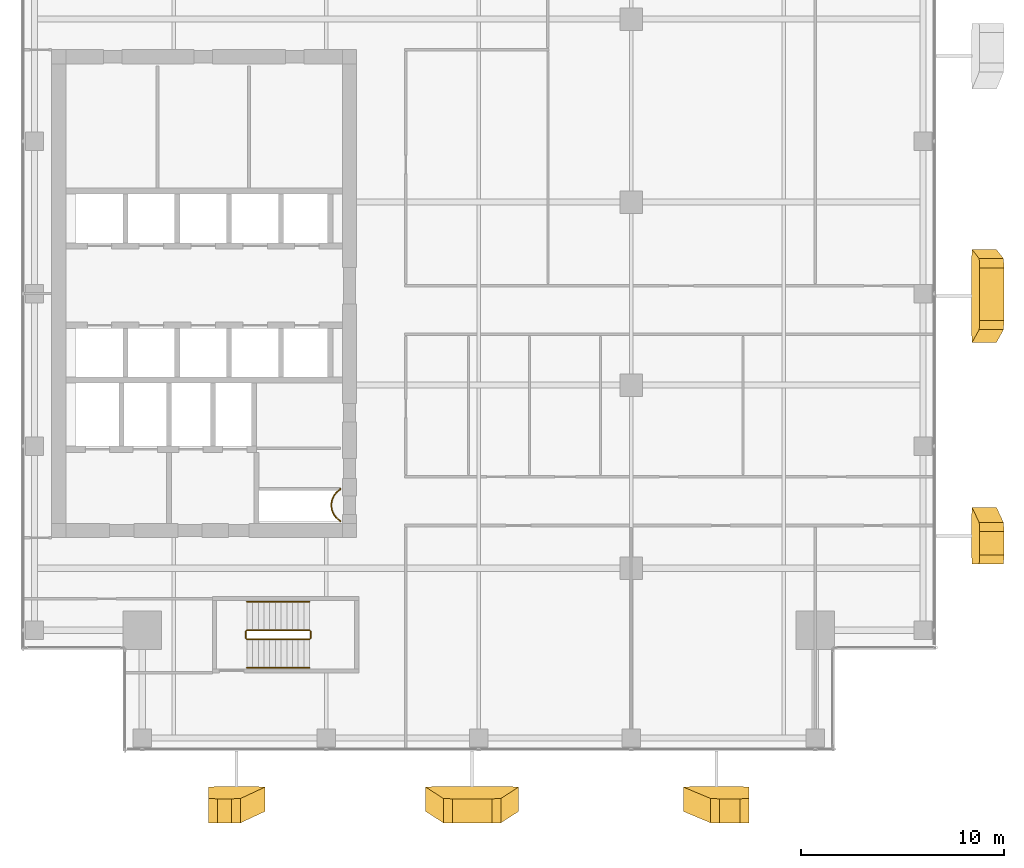
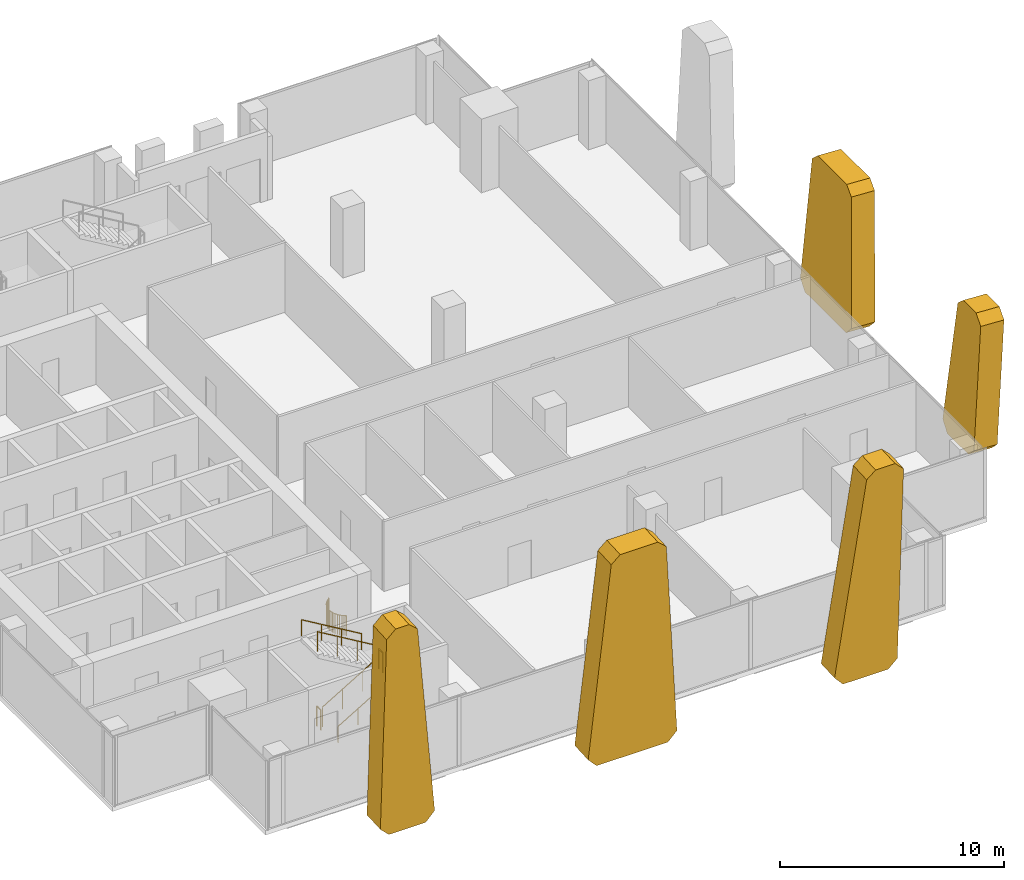
# One storey, part 34 of 36: 7 railings, 5 coverings.
"""IFC4 building model written with IfcOpenShell, lengths in metres."""

from ifc_helpers import new_model, si_unit, direction, frame, origin, origin_2d, place, context, subcontext, project, spatial, polyline, circle, outline, extrude, source, transform, mapped, material, layer, layer_set, type_object, element, save


model = new_model("IFC4")

# Units and contexts
model_context = context("Model", 3, precision=1e-05, world=origin(), true_north=direction((0.0, 1.0)))
body_context = subcontext(model_context, "Body", "Model", "MODEL_VIEW")
ifc_project = project(units=[si_unit("LENGTHUNIT", "METRE"), si_unit("AREAUNIT", "SQUARE_METRE"), si_unit("VOLUMEUNIT", "CUBIC_METRE"), si_unit("PLANEANGLEUNIT", "RADIAN"), si_unit("MASSUNIT", "GRAM", prefix="KILO")], contexts=[model_context])

# Site, building, storey
site_placement = place(None, origin())
site = spatial("IfcSite", under=ifc_project, at=site_placement, CompositionType="ELEMENT")
building_placement = place(site_placement, origin())
building = spatial("IfcBuilding", under=site, at=building_placement, Name="Khomas Fold Tower", CompositionType="ELEMENT")
storey_placement = place(building_placement, frame((0.0, 0.0, 238.199951171875)))
storey = spatial("IfcBuildingStorey", under=building, at=storey_placement, Name="L53", CompositionType="ELEMENT", Elevation=238.199951171875)

# Coverings
ifc_material_1 = material(Name="Natural stone cladding", Category="masonry")
ifc_layer = layer(ifc_material_1, 1.199951171875)
ifc_layer_set = layer_set([ifc_layer], Name="Natural stone cladding")
covering_type = type_object("IfcCoveringType", Name="SK-Karibib marble stone panel", PredefinedType="CLADDING", material=ifc_layer_set)
covering_1_placement = place(storey_placement, frame((15.291748046875, 2.177001953125, 11.150390625), z_axis=(-3.220349e-05, 0.998629657465, 0.052333604827), x_axis=(0.11165263305, 0.052009969022, -0.992385334764)))
element("IfcCovering", 1, at=covering_1_placement, inside=storey, type_object=covering_type, Name="OUTER SKIN leaf L53 SS03-1", PredefinedType="CLADDING", context=body_context, shape_type="SweptSolid", body=[
    extrude(outline(polyline([(0.0, 0.0), (10.731875825338758, 2.220446049250313e-16), (11.17973104845135, 0.5003986872210797), (10.968392458598, 2.3813856956740844), (10.470397599790012, 2.778215693601301), (-0.12767863253602402, 1.5874671784628474), (-0.5251843274298073, 1.090023074295538), (-0.4476053738992216, 0.3995433856514968), (0.0, 0.0)])), origin(), (0.0, 0.0, -1.0), 1.199951171875),
])
covering_2_placement = place(storey_placement, frame((28.09326171875, 2.177734375, 11.136474609375), z_axis=(0.0, 0.998629683501, 0.052333117908), x_axis=(0.080866273172, 0.052161724853, -0.995359131331)))
element("IfcCovering", 2, at=covering_2_placement, inside=storey, type_object=covering_type, Name="OUTER SKIN leaf L53 SS06-2", PredefinedType="CLADDING", context=body_context, shape_type="SweptSolid", body=[
    extrude(outline(polyline([(0.0, 0.0), (10.699570303655547, 0.0), (11.148941452168673, 0.486418337694824), (10.852168547304485, 4.144321071713593), (10.330262562943101, 4.551937768929956), (-0.22937118205908263, 2.827136373325576), (-0.6058793013081567, 2.3466295577307776), (-0.44904295509733283, 0.4135282193163885), (0.0, 0.0)])), origin(), (0.0, 0.0, -1.0), 1.199951171875),
])
covering_3_placement = place(storey_placement, frame((40.300048828125, 2.1796875, 11.10009765625), z_axis=(-2.405133e-06, 0.998629593054, 0.052334843757), x_axis=(-7e-12, 0.052334843757, -0.998629593057)))
element("IfcCovering", 3, at=covering_3_placement, inside=storey, type_object=covering_type, Name="OUTER SKIN leaf L53 SS09-3", PredefinedType="CLADDING", context=body_context, shape_type="SweptSolid", body=[
    extrude(outline(polyline([(0.0, 0.0), (10.664759812194422, 0.0), (11.115333742824793, 0.44995117162726406), (11.115333742842237, 2.7856445309955085), (10.608774901345733, 3.23217773436541), (-0.05574110480564044, 1.900878906274989), (-0.4505611535546865, 1.4543457027808422), (-0.4505611535621875, 0.4499511715337471), (0.0, 0.0)])), origin(), (0.0, 0.0, -1.0), 1.199951171875),
])
covering_4_placement = place(storey_placement, frame((51.61328125, 15.74169921875, 7.150390625), z_axis=(-0.998629298134, -2.8925456e-05, 0.052340463045), x_axis=(-0.052016344069, 0.111665411865, -0.992383562814)))
element("IfcCovering", 4, at=covering_4_placement, inside=storey, type_object=covering_type, Name="OUTER SKIN leaf L53 ES03-1", PredefinedType="CLADDING", context=body_context, shape_type="SweptSolid", body=[
    extrude(outline(polyline([(0.0, 0.0), (6.701188890180125, 1.1102230246251565e-16), (7.149037677896048, 0.500404446017872), (6.937674900018289, 2.381388736854962), (6.4396749376874745, 2.7782123304733295), (-0.1779430287354522, 2.0346026512622166), (-0.5754550252133812, 1.5371520160626408), (-0.4476232097266262, 0.399536210602159), (0.0, 0.0)])), origin(), (0.0, 0.0, -1.0), 1.199951171875),
])
covering_5_placement = place(storey_placement, frame((51.6123046875, 28.719970703125, 7.130615234375), z_axis=(-0.998629129649, -7.55013e-07, 0.052343685533), x_axis=(-0.052222581972, 0.067998880929, -0.996317697386)))
element("IfcCovering", 5, at=covering_5_placement, inside=storey, type_object=covering_type, Name="OUTER SKIN leaf L53 ES06-2", PredefinedType="CLADDING", context=body_context, shape_type="SweptSolid", body=[
    extrude(outline(polyline([(0.0, 0.0), (6.674483693384631, -1.1102230246251565e-16), (7.124209897014313, 0.4806680434856984), (6.874675917705665, 4.141851932247686), (6.352469370585208, 4.555542187529186), (-0.2487509070868815, 3.4772175778008307), (-0.6256230250905195, 3.002493851965644), (-0.44956635217666036, 0.41937528764385057), (0.0, 0.0)])), origin(), (0.0, 0.0, -1.0), 1.199951171875),
])

# Railings
ifc_material_2 = material(Name="Steel balustrade", Category="steel")
railing_type_1 = type_object("IfcRailingType", Name="Stair guard", PredefinedType="GUARDRAIL", material=ifc_material_2)
shared_shape_1 = source(origin(), body_context, "Body", "SweptSolid", [
    extrude(circle(Radius=0.02392578125, at=origin_2d()), frame((0.0, 0.0, 1.076171875), z_axis=(0.0, 1.0, 0.0), x_axis=(-1.0, 0.0, 0.0)), (0.0, 0.0, 1.0), 0.349853515625),
    extrude(circle(Radius=0.02099609375, at=origin_2d()), origin(), (0.0, 0.0, 1.0), 1.052001953125),
    extrude(circle(Radius=0.02099609375, at=origin_2d()), frame((0.0, 0.349853515625, 0.0)), (0.0, 0.0, 1.0), 1.052001953125),
])
for number, where, name in (
    (6, (18.72998046875, 10.050048828125, 2.0), "L53 ST2 stair guard 2"),
    (7, (15.550048828125, 10.050048828125, 0.0), "L53 ST2 stair guard 4"),
):
    element("IfcRailing", number, at=place(storey_placement, frame(where)), inside=storey, type_object=railing_type_1, Name=name, PredefinedType="GUARDRAIL", context=body_context, shape_type="MappedRepresentation", body=[
        mapped(shared_shape_1, transform((0.0, 0.0, 0.0))),
    ])
shared_shape_2 = source(origin(), body_context, "Body", "SweptSolid", [
    extrude(circle(Radius=0.02392578125, at=origin_2d()), frame((0.0, 0.0, 1.076171875), z_axis=(0.859290745958, 0.0, 0.51148745235), x_axis=(0.0, 1.0, 0.0)), (0.0, 0.0, 1.0), 3.584228515625),
    extrude(circle(Radius=0.02099609375, at=origin_2d()), origin(), (0.0, 0.0, 1.0), 1.052001953125),
    extrude(circle(Radius=0.02099609375, at=origin_2d()), frame((1.026611328125, 0.0, 0.611083984375)), (0.0, 0.0, 1.0), 1.052001953125),
    extrude(circle(Radius=0.02099609375, at=origin_2d()), frame((2.05322265625, 0.0, 1.22216796875)), (0.0, 0.0, 1.0), 1.052001953125),
    extrude(circle(Radius=0.02099609375, at=origin_2d()), frame((3.079833984375, 0.0, 1.833251953125)), (0.0, 0.0, 1.0), 1.052001953125),
])
railing_1_placement = place(storey_placement, frame((15.60009765625, 10.0, 0.166748046875)))
element("IfcRailing", 8, at=railing_1_placement, inside=storey, type_object=railing_type_1, Name="L53 ST2 stair guard 1", PredefinedType="GUARDRAIL", context=body_context, shape_type="MappedRepresentation", body=[
    mapped(shared_shape_2, transform((0.0, 0.0, 0.0))),
])
shared_shape_3 = source(origin(), body_context, "Body", "SweptSolid", [
    extrude(circle(Radius=0.02392578125, at=origin_2d()), frame((0.0, 0.0, 1.076171875), z_axis=(-0.859290745958, 0.0, 0.51148745235), x_axis=(0.0, -1.0, 0.0)), (0.0, 0.0, 1.0), 3.584228515625),
    extrude(circle(Radius=0.02099609375, at=origin_2d()), origin(), (0.0, 0.0, 1.0), 1.052001953125),
    extrude(circle(Radius=0.02099609375, at=origin_2d()), frame((-1.026611328125, 0.0, 0.611083984375)), (0.0, 0.0, 1.0), 1.052001953125),
    extrude(circle(Radius=0.02099609375, at=origin_2d()), frame((-2.05322265625, 0.0, 1.22216796875)), (0.0, 0.0, 1.0), 1.052001953125),
    extrude(circle(Radius=0.02099609375, at=origin_2d()), frame((-3.079833984375, 0.0, 1.833251953125)), (0.0, 0.0, 1.0), 1.052001953125),
])
railing_2_placement = place(storey_placement, frame((18.679931640625, 10.449951171875, 2.166748046875)))
element("IfcRailing", 9, at=railing_2_placement, inside=storey, type_object=railing_type_1, Name="L53 ST2 stair guard 3", PredefinedType="GUARDRAIL", context=body_context, shape_type="MappedRepresentation", body=[
    mapped(shared_shape_3, transform((0.0, 0.0, 0.0))),
])
ifc_material_3 = material(Name="Steel handrail", Category="steel")
railing_type_2 = type_object("IfcRailingType", Name="Stair handrail", PredefinedType="HANDRAIL", material=ifc_material_3)
shared_shape_4 = source(origin(), body_context, "Body", "SweptSolid", [
    extrude(circle(Radius=0.02392578125, at=origin_2d()), frame((0.0, 0.0, 0.8759765625), z_axis=(0.859290745958, 0.0, 0.51148745235), x_axis=(0.0, 1.0, 0.0)), (0.0, 0.0, 1.0), 3.584228515625),
    extrude(circle(Radius=0.02099609375, at=origin_2d()), origin(), (0.0, 0.0, 1.0), 0.851806640625),
    extrude(circle(Radius=0.02099609375, at=origin_2d()), frame((1.026611328125, 0.0, 0.611083984375)), (0.0, 0.0, 1.0), 0.851806640625),
    extrude(circle(Radius=0.02099609375, at=origin_2d()), frame((2.05322265625, 0.0, 1.22216796875)), (0.0, 0.0, 1.0), 0.851806640625),
    extrude(circle(Radius=0.02099609375, at=origin_2d()), frame((3.079833984375, 0.0, 1.833251953125)), (0.0, 0.0, 1.0), 0.851806640625),
])
railing_3_placement = place(storey_placement, frame((15.60009765625, 8.60009765625, 0.166748046875)))
element("IfcRailing", 10, at=railing_3_placement, inside=storey, type_object=railing_type_2, Name="L53 ST2 stair handrail 1", PredefinedType="HANDRAIL", context=body_context, shape_type="MappedRepresentation", body=[
    mapped(shared_shape_4, transform((0.0, 0.0, 0.0))),
])
shared_shape_5 = source(origin(), body_context, "Body", "SweptSolid", [
    extrude(circle(Radius=0.02392578125, at=origin_2d()), frame((0.0, 0.0, 0.8759765625), z_axis=(-0.859290745958, 0.0, 0.51148745235), x_axis=(0.0, -1.0, 0.0)), (0.0, 0.0, 1.0), 3.584228515625),
    extrude(circle(Radius=0.02099609375, at=origin_2d()), origin(), (0.0, 0.0, 1.0), 0.851806640625),
    extrude(circle(Radius=0.02099609375, at=origin_2d()), frame((-1.026611328125, 0.0, 0.611083984375)), (0.0, 0.0, 1.0), 0.851806640625),
    extrude(circle(Radius=0.02099609375, at=origin_2d()), frame((-2.05322265625, 0.0, 1.22216796875)), (0.0, 0.0, 1.0), 0.851806640625),
    extrude(circle(Radius=0.02099609375, at=origin_2d()), frame((-3.079833984375, 0.0, 1.833251953125)), (0.0, 0.0, 1.0), 0.851806640625),
])
railing_4_placement = place(storey_placement, frame((18.679931640625, 11.85009765625, 2.166748046875)))
element("IfcRailing", 11, at=railing_4_placement, inside=storey, type_object=railing_type_2, Name="L53 ST2 stair handrail 2", PredefinedType="HANDRAIL", context=body_context, shape_type="MappedRepresentation", body=[
    mapped(shared_shape_5, transform((0.0, 0.0, 0.0))),
])
ifc_material_4 = material(Name="Steel balustrade", Category="steel")
railing_type_3 = type_object("IfcRailingType", Name="Shaft guard", PredefinedType="GUARDRAIL", material=ifc_material_4)
shared_shape_6 = source(origin(), body_context, "Body", "SweptSolid", [
    extrude(circle(Radius=0.02490234375, at=origin_2d()), frame((0.0, 0.0, 1.0751953125), z_axis=(1.0, 0.0, 0.0), x_axis=(0.0, 1.0, 0.0)), (0.0, 0.0, 1.0), 0.02197265625),
    extrude(circle(Radius=0.02490234375, at=origin_2d()), frame((0.02197265625, 0.0, 1.0751953125), z_axis=(0.0, -1.0, 0.0), x_axis=(1.0, 0.0, 0.0)), (0.0, 0.0, 1.0), 0.021484375),
    extrude(circle(Radius=0.02490234375, at=origin_2d()), frame((0.02197265625, -0.021484375, 1.0751953125), z_axis=(-0.857492925713, -0.514495755428, 0.0), x_axis=(0.514495755428, -0.857492925713, 0.0)), (0.0, 0.0, 1.0), 0.058349609375),
    extrude(circle(Radius=0.02490234375, at=origin_2d()), frame((-0.028076171875, -0.051513671875, 1.0751953125), z_axis=(-0.801986734315, -0.597341843489, 0.0), x_axis=(0.597341843489, -0.801986734315, 0.0)), (0.0, 0.0, 1.0), 0.08837890625),
    extrude(circle(Radius=0.02490234375, at=origin_2d()), frame((-0.098876953125, -0.104248046875, 1.0751953125), z_axis=(-0.740814996175, -0.671709119666, 0.0), x_axis=(0.671709119666, -0.740814996175, 0.0)), (0.0, 0.0, 1.0), 0.08837890625),
    extrude(circle(Radius=0.02490234375, at=origin_2d()), frame((-0.164306640625, -0.16357421875, 1.0751953125), z_axis=(-0.671709119666, -0.740814996175, 0.0), x_axis=(0.740814996175, -0.671709119666, 0.0)), (0.0, 0.0, 1.0), 0.08837890625),
    extrude(circle(Radius=0.02490234375, at=origin_2d()), frame((-0.2236328125, -0.22900390625, 1.0751953125), z_axis=(-0.597341843489, -0.801986734315, 0.0), x_axis=(0.801986734315, -0.597341843489, 0.0)), (0.0, 0.0, 1.0), 0.08837890625),
    extrude(circle(Radius=0.02490234375, at=origin_2d()), frame((-0.2763671875, -0.2998046875, 1.0751953125), z_axis=(-0.514495755428, -0.857492925713, 0.0), x_axis=(0.857492925713, -0.514495755428, 0.0)), (0.0, 0.0, 1.0), 0.08837890625),
    extrude(circle(Radius=0.02490234375, at=origin_2d()), frame((-0.32177734375, -0.37548828125, 1.0751953125), z_axis=(-0.424999439989, -0.905193612444, 0.0), x_axis=(0.905193612444, -0.424999439989, 0.0)), (0.0, 0.0, 1.0), 0.08837890625),
    extrude(circle(Radius=0.02490234375, at=origin_2d()), frame((-0.359375, -0.45556640625, 1.0751953125), z_axis=(-0.337738989679, -0.941239807302, 0.0), x_axis=(0.941239807302, -0.337738989679, 0.0)), (0.0, 0.0, 1.0), 0.088134765625),
    extrude(circle(Radius=0.02490234375, at=origin_2d()), frame((-0.38916015625, -0.53857421875, 1.0751953125), z_axis=(-0.243185799972, -0.969979724887, 0.0), x_axis=(0.969979724887, -0.243185799972, 0.0)), (0.0, 0.0, 1.0), 0.08837890625),
    extrude(circle(Radius=0.02490234375, at=origin_2d()), frame((-0.41064453125, -0.624267578125, 1.0751953125), z_axis=(-0.146448518259, -0.989218293148, 0.0), x_axis=(0.989218293148, -0.146448518259, 0.0)), (0.0, 0.0, 1.0), 0.08837890625),
    extrude(circle(Radius=0.02490234375, at=origin_2d()), frame((-0.423583984375, -0.711669921875, 1.0751953125), z_axis=(-0.049799629132, -0.998759228712, 0.0), x_axis=(0.998759228712, -0.049799629132, 0.0)), (0.0, 0.0, 1.0), 0.088134765625),
    extrude(circle(Radius=0.02490234375, at=origin_2d()), frame((-0.427978515625, -0.7998046875, 1.0751953125), z_axis=(0.049662400856, -0.998766061669, 0.0), x_axis=(0.998766061669, 0.049662400856, 0.0)), (0.0, 0.0, 1.0), 0.08837890625),
    extrude(circle(Radius=0.02490234375, at=origin_2d()), frame((-0.423583984375, -0.88818359375, 1.0751953125), z_axis=(0.146448518259, -0.989218293148, 0.0), x_axis=(0.989218293148, 0.146448518259, 0.0)), (0.0, 0.0, 1.0), 0.08837890625),
    extrude(circle(Radius=0.02490234375, at=origin_2d()), frame((-0.41064453125, -0.9755859375, 1.0751953125), z_axis=(0.243185799972, -0.969979724887, 0.0), x_axis=(0.969979724887, 0.243185799972, 0.0)), (0.0, 0.0, 1.0), 0.08837890625),
    extrude(circle(Radius=0.02490234375, at=origin_2d()), frame((-0.38916015625, -1.061279296875, 1.0751953125), z_axis=(0.337738989679, -0.941239807302, 0.0), x_axis=(0.941239807302, 0.337738989679, 0.0)), (0.0, 0.0, 1.0), 0.088134765625),
    extrude(circle(Radius=0.02490234375, at=origin_2d()), frame((-0.359375, -1.144287109375, 1.0751953125), z_axis=(0.426063493689, -0.904693262573, 0.0), x_axis=(0.904693262573, 0.426063493689, 0.0)), (0.0, 0.0, 1.0), 0.088134765625),
    extrude(circle(Radius=0.02490234375, at=origin_2d()), frame((-0.32177734375, -1.22412109375, 1.0751953125), z_axis=(0.514495755428, -0.857492925713, 0.0), x_axis=(0.857492925713, 0.514495755428, 0.0)), (0.0, 0.0, 1.0), 0.08837890625),
    extrude(circle(Radius=0.02490234375, at=origin_2d()), frame((-0.2763671875, -1.2998046875, 1.0751953125), z_axis=(0.596019138224, -0.802970227885, 0.0), x_axis=(0.802970227885, 0.596019138224, 0.0)), (0.0, 0.0, 1.0), 0.08837890625),
    extrude(circle(Radius=0.02490234375, at=origin_2d()), frame((-0.2236328125, -1.370849609375, 1.0751953125), z_axis=(0.671709119666, -0.740814996175, 0.0), x_axis=(0.740814996175, 0.671709119666, 0.0)), (0.0, 0.0, 1.0), 0.08837890625),
    extrude(circle(Radius=0.02490234375, at=origin_2d()), frame((-0.164306640625, -1.436279296875, 1.0751953125), z_axis=(0.740814996175, -0.671709119666, 0.0), x_axis=(0.671709119666, 0.740814996175, 0.0)), (0.0, 0.0, 1.0), 0.08837890625),
    extrude(circle(Radius=0.02490234375, at=origin_2d()), frame((-0.098876953125, -1.49560546875, 1.0751953125), z_axis=(0.803311771616, -0.595558727233, 0.0), x_axis=(0.595558727233, 0.803311771616, 0.0)), (0.0, 0.0, 1.0), 0.088134765625),
    extrude(circle(Radius=0.02490234375, at=origin_2d()), frame((-0.028076171875, -1.548095703125, 1.0751953125), z_axis=(0.857492925713, -0.514495755428, 0.0), x_axis=(0.514495755428, 0.857492925713, 0.0)), (0.0, 0.0, 1.0), 0.058349609375),
    extrude(circle(Radius=0.02490234375, at=origin_2d()), frame((0.02197265625, -1.578125, 1.0751953125), z_axis=(0.0, -1.0, 0.0), x_axis=(1.0, 0.0, 0.0)), (0.0, 0.0, 1.0), 0.021728515625),
    extrude(circle(Radius=0.02490234375, at=origin_2d()), frame((0.02197265625, -1.599853515625, 1.0751953125), z_axis=(-1.0, 0.0, 0.0), x_axis=(0.0, -1.0, 0.0)), (0.0, 0.0, 1.0), 0.02197265625),
    extrude(circle(Radius=0.02001953125, at=origin_2d()), origin(), (0.0, 0.0, 1.0), 1.050048828125),
    extrude(circle(Radius=0.02001953125, at=origin_2d()), frame((0.02197265625, 0.0, 0.0)), (0.0, 0.0, 1.0), 1.050048828125),
    extrude(circle(Radius=0.02001953125, at=origin_2d()), frame((0.02197265625, -0.021484375, 0.0)), (0.0, 0.0, 1.0), 1.050048828125),
    extrude(circle(Radius=0.02001953125, at=origin_2d()), frame((-0.028076171875, -0.051513671875, 0.0)), (0.0, 0.0, 1.0), 1.050048828125),
    extrude(circle(Radius=0.02001953125, at=origin_2d()), frame((-0.098876953125, -0.104248046875, 0.0)), (0.0, 0.0, 1.0), 1.050048828125),
    extrude(circle(Radius=0.02001953125, at=origin_2d()), frame((-0.164306640625, -0.16357421875, 0.0)), (0.0, 0.0, 1.0), 1.050048828125),
    extrude(circle(Radius=0.02001953125, at=origin_2d()), frame((-0.2236328125, -0.22900390625, 0.0)), (0.0, 0.0, 1.0), 1.050048828125),
    extrude(circle(Radius=0.02001953125, at=origin_2d()), frame((-0.2763671875, -0.2998046875, 0.0)), (0.0, 0.0, 1.0), 1.050048828125),
    extrude(circle(Radius=0.02001953125, at=origin_2d()), frame((-0.32177734375, -0.37548828125, 0.0)), (0.0, 0.0, 1.0), 1.050048828125),
    extrude(circle(Radius=0.02001953125, at=origin_2d()), frame((-0.359375, -0.45556640625, 0.0)), (0.0, 0.0, 1.0), 1.050048828125),
    extrude(circle(Radius=0.02001953125, at=origin_2d()), frame((-0.38916015625, -0.53857421875, 0.0)), (0.0, 0.0, 1.0), 1.050048828125),
    extrude(circle(Radius=0.02001953125, at=origin_2d()), frame((-0.41064453125, -0.624267578125, 0.0)), (0.0, 0.0, 1.0), 1.050048828125),
    extrude(circle(Radius=0.02001953125, at=origin_2d()), frame((-0.423583984375, -0.711669921875, 0.0)), (0.0, 0.0, 1.0), 1.050048828125),
    extrude(circle(Radius=0.02001953125, at=origin_2d()), frame((-0.427978515625, -0.7998046875, 0.0)), (0.0, 0.0, 1.0), 1.050048828125),
    extrude(circle(Radius=0.02001953125, at=origin_2d()), frame((-0.423583984375, -0.88818359375, 0.0)), (0.0, 0.0, 1.0), 1.050048828125),
    extrude(circle(Radius=0.02001953125, at=origin_2d()), frame((-0.41064453125, -0.9755859375, 0.0)), (0.0, 0.0, 1.0), 1.050048828125),
    extrude(circle(Radius=0.02001953125, at=origin_2d()), frame((-0.38916015625, -1.061279296875, 0.0)), (0.0, 0.0, 1.0), 1.050048828125),
    extrude(circle(Radius=0.02001953125, at=origin_2d()), frame((-0.359375, -1.144287109375, 0.0)), (0.0, 0.0, 1.0), 1.050048828125),
    extrude(circle(Radius=0.02001953125, at=origin_2d()), frame((-0.32177734375, -1.22412109375, 0.0)), (0.0, 0.0, 1.0), 1.050048828125),
    extrude(circle(Radius=0.02001953125, at=origin_2d()), frame((-0.2763671875, -1.2998046875, 0.0)), (0.0, 0.0, 1.0), 1.050048828125),
    extrude(circle(Radius=0.02001953125, at=origin_2d()), frame((-0.2236328125, -1.370849609375, 0.0)), (0.0, 0.0, 1.0), 1.050048828125),
    extrude(circle(Radius=0.02001953125, at=origin_2d()), frame((-0.164306640625, -1.436279296875, 0.0)), (0.0, 0.0, 1.0), 1.050048828125),
    extrude(circle(Radius=0.02001953125, at=origin_2d()), frame((-0.098876953125, -1.49560546875, 0.0)), (0.0, 0.0, 1.0), 1.050048828125),
    extrude(circle(Radius=0.02001953125, at=origin_2d()), frame((-0.028076171875, -1.548095703125, 0.0)), (0.0, 0.0, 1.0), 1.050048828125),
    extrude(circle(Radius=0.02001953125, at=origin_2d()), frame((0.02197265625, -1.578125, 0.0)), (0.0, 0.0, 1.0), 1.050048828125),
    extrude(circle(Radius=0.02001953125, at=origin_2d()), frame((0.02197265625, -1.599853515625, 0.0)), (0.0, 0.0, 1.0), 1.050048828125),
    extrude(circle(Radius=0.02001953125, at=origin_2d()), frame((0.0, -1.599853515625, 0.0)), (0.0, 0.0, 1.0), 1.050048828125),
])
railing_5_placement = place(storey_placement, frame((20.177978515625, 17.39990234375, 0.0)))
element("IfcRailing", 12, at=railing_5_placement, inside=storey, type_object=railing_type_3, Name="Shaft guard L53 1", PredefinedType="GUARDRAIL", context=body_context, shape_type="MappedRepresentation", body=[
    mapped(shared_shape_6, transform((0.0, 0.0, 0.0))),
])

save(model, "model.ifc")
